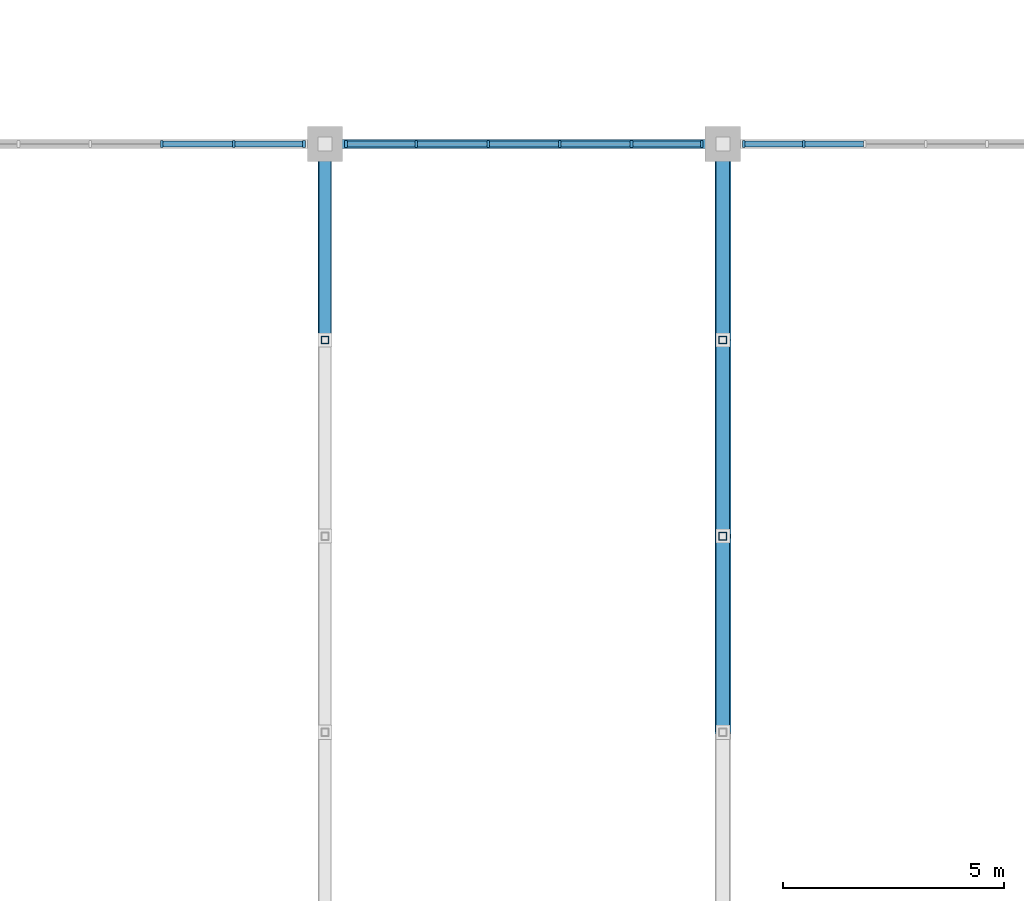
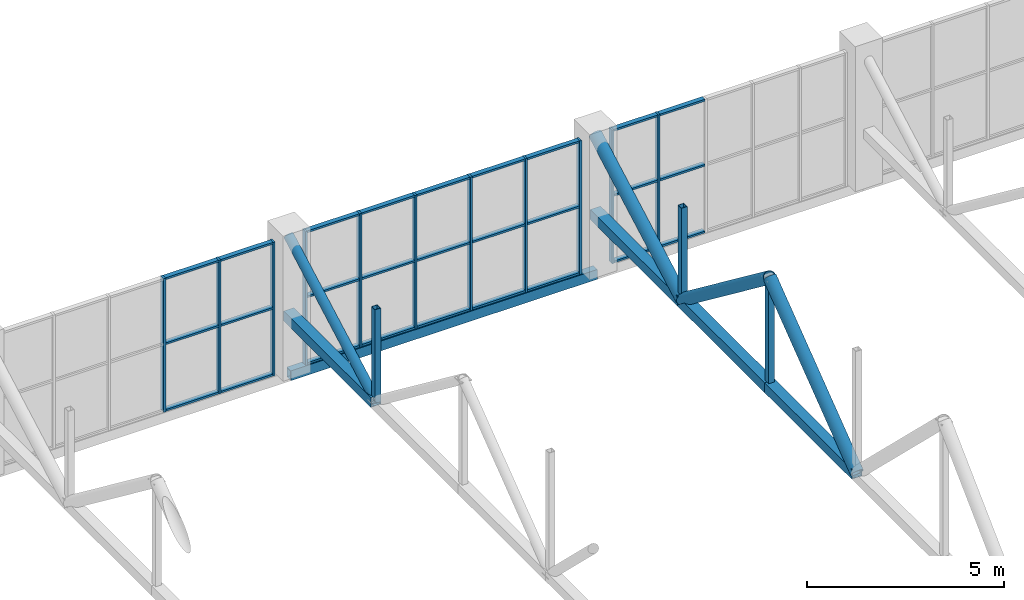
# One storey, part 60 of 103: 49 members, 1 beam, 3 elements without a shape of their own.
"""IFC4 building model written with IfcOpenShell, lengths in metres."""

from ifc_helpers import new_model, si_unit, direction, frame, origin, origin_2d, place, context, subcontext, project, spatial, rectangle, hollow_rectangle, hollow_circle, extrude, material, layer, layer_set, material_profile, profile_set, type_object, element, aggregate, save


model = new_model("IFC4")

# Units and contexts
model_context = context("Model", 3, precision=1e-05, world=origin(), true_north=direction((0.0, 1.0)))
body_context = subcontext(model_context, "Body", "Model", "MODEL_VIEW")
ifc_project = project(units=[si_unit("LENGTHUNIT", "METRE"), si_unit("AREAUNIT", "SQUARE_METRE"), si_unit("VOLUMEUNIT", "CUBIC_METRE"), si_unit("PLANEANGLEUNIT", "RADIAN"), si_unit("MASSUNIT", "GRAM", prefix="KILO")], contexts=[model_context])

# Site, building, storey
site_placement = place(None, origin())
site = spatial("IfcSite", under=ifc_project, at=site_placement, CompositionType="ELEMENT")
building_placement = place(site_placement, origin())
building = spatial("IfcBuilding", under=site, at=building_placement, Name="Cazmaro Siding Exhibition Halls", CompositionType="ELEMENT")
storey_placement = place(building_placement, frame((0.0, 0.0, 16.5)))
storey = spatial("IfcBuildingStorey", under=building, at=storey_placement, Name="L03", CompositionType="ELEMENT", Elevation=16.5)

# Curtain wall, members
ifc_material_1 = material(Name="Anodized Bronze Aluminum and Solar-Control Low-E Glazing", Category="aluminium")
ifc_layer = layer(ifc_material_1, 0.159912109375)
ifc_layer_set = layer_set([ifc_layer], Name="Anodized Bronze Aluminum and Solar-Control Low-E Glazing")
curtain_wall_type = type_object("IfcCurtainWallType", Name="CWS-04", PredefinedType="USERDEFINED", material=ifc_layer_set)
curtain_wall_1_placement = place(storey_placement, origin())
curtain_wall_1 = element("IfcCurtainWall", 1, at=curtain_wall_1_placement, inside=storey, type_object=curtain_wall_type, Name="Clerestory Curtain Wall CWS-04 CW-103", ObjectType="CLERESTORY CURTAIN WALL", PredefinedType="USERDEFINED")
ifc_material_2 = material(Name="Anodized Bronze Extruded Aluminum", Category="aluminium")
ifc_material_profile_1 = material_profile(ifc_material_2, rectangle(XDim=0.159912109375, YDim=0.06005859375, at=origin_2d()), Name="CWM-04")
ifc_profile_set_1 = profile_set([ifc_material_profile_1], Name="Anodized Bronze Extruded Aluminum")
member_type_1 = type_object("IfcMemberType", Name="CWM-04", PredefinedType="MULLION", material=ifc_profile_set_1)
member_1_placement = place(storey_placement, frame((179.52490234375, 53.60009765625, 0.0), z_axis=(0.0, 0.0, 1.0), x_axis=(0.0, -1.0, 0.0)))
member_1 = element("IfcMember", 2, at=member_1_placement, type_object=member_type_1, Name="CWS-04 mullion 1", PredefinedType="MULLION", context=body_context, shape_type="SweptSolid", body=[
    extrude(rectangle(XDim=0.159912109375, YDim=0.06005859375, at=origin_2d()), origin(), (0.0, 0.0, 1.0), 4.14990234375),
])
member_2_placement = place(storey_placement, frame((177.93310546875, 53.60009765625, 0.0), z_axis=(0.0, 0.0, 1.0), x_axis=(0.0, -1.0, 0.0)))
member_2 = element("IfcMember", 3, at=member_2_placement, type_object=member_type_1, Name="CWS-04 mullion 2", PredefinedType="MULLION", context=body_context, shape_type="SweptSolid", body=[
    extrude(rectangle(XDim=0.159912109375, YDim=0.06005859375, at=origin_2d()), origin(), (0.0, 0.0, 1.0), 4.14990234375),
])
member_3_placement = place(storey_placement, frame((176.31103515625, 53.60009765625, 0.0), z_axis=(0.0, 0.0, 1.0), x_axis=(0.0, -1.0, 0.0)))
member_3 = element("IfcMember", 4, at=member_3_placement, type_object=member_type_1, Name="CWS-04 mullion 3", PredefinedType="MULLION", context=body_context, shape_type="SweptSolid", body=[
    extrude(rectangle(XDim=0.159912109375, YDim=0.06005859375, at=origin_2d()), origin(), (0.0, 0.0, 1.0), 4.14990234375),
])

curtain_wall_2_placement = place(storey_placement, origin())
curtain_wall_2 = element("IfcCurtainWall", 5, at=curtain_wall_2_placement, inside=storey, type_object=curtain_wall_type, Name="Clerestory Curtain Wall CWS-04 CW-105", ObjectType="CLERESTORY CURTAIN WALL", PredefinedType="USERDEFINED")
member_4_placement = place(storey_placement, frame((188.52490234375, 53.60009765625, 0.0), z_axis=(0.0, 0.0, 1.0), x_axis=(0.0, -1.0, 0.0)))
member_4 = element("IfcMember", 6, at=member_4_placement, type_object=member_type_1, Name="CWS-04 mullion 1", PredefinedType="MULLION", context=body_context, shape_type="SweptSolid", body=[
    extrude(rectangle(XDim=0.159912109375, YDim=0.06005859375, at=origin_2d()), origin(), (0.0, 0.0, 1.0), 4.14990234375),
])
member_5_placement = place(storey_placement, frame((186.93310546875, 53.60009765625, 0.0), z_axis=(0.0, 0.0, 1.0), x_axis=(0.0, -1.0, 0.0)))
member_5 = element("IfcMember", 7, at=member_5_placement, type_object=member_type_1, Name="CWS-04 mullion 2", PredefinedType="MULLION", context=body_context, shape_type="SweptSolid", body=[
    extrude(rectangle(XDim=0.159912109375, YDim=0.06005859375, at=origin_2d()), origin(), (0.0, 0.0, 1.0), 4.14990234375),
])
member_6_placement = place(storey_placement, frame((185.31103515625, 53.60009765625, 0.0), z_axis=(0.0, 0.0, 1.0), x_axis=(0.0, -1.0, 0.0)))
member_6 = element("IfcMember", 8, at=member_6_placement, type_object=member_type_1, Name="CWS-04 mullion 3", PredefinedType="MULLION", context=body_context, shape_type="SweptSolid", body=[
    extrude(rectangle(XDim=0.159912109375, YDim=0.06005859375, at=origin_2d()), origin(), (0.0, 0.0, 1.0), 4.14990234375),
])
member_7_placement = place(storey_placement, frame((183.68896484375, 53.60009765625, 0.0), z_axis=(0.0, 0.0, 1.0), x_axis=(0.0, -1.0, 0.0)))
member_7 = element("IfcMember", 9, at=member_7_placement, type_object=member_type_1, Name="CWS-04 mullion 4", PredefinedType="MULLION", context=body_context, shape_type="SweptSolid", body=[
    extrude(rectangle(XDim=0.159912109375, YDim=0.06005859375, at=origin_2d()), origin(), (0.0, 0.0, 1.0), 4.14990234375),
])
member_8_placement = place(storey_placement, frame((182.06689453125, 53.60009765625, 0.0), z_axis=(0.0, 0.0, 1.0), x_axis=(0.0, -1.0, 0.0)))
member_8 = element("IfcMember", 10, at=member_8_placement, type_object=member_type_1, Name="CWS-04 mullion 5", PredefinedType="MULLION", context=body_context, shape_type="SweptSolid", body=[
    extrude(rectangle(XDim=0.159912109375, YDim=0.06005859375, at=origin_2d()), origin(), (0.0, 0.0, 1.0), 4.14990234375),
])
member_9_placement = place(storey_placement, frame((180.47509765625, 53.60009765625, 0.0), z_axis=(0.0, 0.0, 1.0), x_axis=(0.0, -1.0, 0.0)))
member_9 = element("IfcMember", 11, at=member_9_placement, type_object=member_type_1, Name="CWS-04 mullion 6", PredefinedType="MULLION", context=body_context, shape_type="SweptSolid", body=[
    extrude(rectangle(XDim=0.159912109375, YDim=0.06005859375, at=origin_2d()), origin(), (0.0, 0.0, 1.0), 4.14990234375),
])

curtain_wall_3_placement = place(storey_placement, origin())
curtain_wall_3 = element("IfcCurtainWall", 12, at=curtain_wall_3_placement, inside=storey, type_object=curtain_wall_type, Name="Clerestory Curtain Wall CWS-04 CW-107", ObjectType="CLERESTORY CURTAIN WALL", PredefinedType="USERDEFINED")
member_10_placement = place(storey_placement, frame((190.826904296875, 53.60009765625, 0.0), z_axis=(0.0, 0.0, 1.0), x_axis=(0.0, -1.0, 0.0)))
member_10 = element("IfcMember", 13, at=member_10_placement, type_object=member_type_1, Name="CWS-04 mullion 5", PredefinedType="MULLION", context=body_context, shape_type="SweptSolid", body=[
    extrude(rectangle(XDim=0.159912109375, YDim=0.06005859375, at=origin_2d()), origin(), (0.0, 0.0, 1.0), 4.14990234375),
])
member_11_placement = place(storey_placement, frame((189.47509765625, 53.60009765625, 0.0), z_axis=(0.0, 0.0, 1.0), x_axis=(0.0, -1.0, 0.0)))
member_11 = element("IfcMember", 14, at=member_11_placement, type_object=member_type_1, Name="CWS-04 mullion 6", PredefinedType="MULLION", context=body_context, shape_type="SweptSolid", body=[
    extrude(rectangle(XDim=0.159912109375, YDim=0.06005859375, at=origin_2d()), origin(), (0.0, 0.0, 1.0), 4.14990234375),
])

# Member
ifc_material_3 = material(Name="Anodized Bronze Extruded Aluminum", Category="aluminium")
ifc_material_profile_2 = material_profile(ifc_material_3, rectangle(XDim=0.139892578125, YDim=0.06005859375, at=origin_2d()), Name="CWT-04")
ifc_profile_set_2 = profile_set([ifc_material_profile_2], Name="Anodized Bronze Extruded Aluminum")
member_type_2 = type_object("IfcMemberType", Name="CWT-04", PredefinedType="MULLION", material=ifc_profile_set_2)
member_12_placement = place(storey_placement, frame((179.4951171875, 53.60009765625, 0.030029296875), z_axis=(-1.0, 0.0, 0.0), x_axis=(0.0, -1.0, 0.0)))
member_12 = element("IfcMember", 15, at=member_12_placement, type_object=member_type_2, Name="CWS-04 transom 1.1", ObjectType="TRANSOM", PredefinedType="USERDEFINED", context=body_context, shape_type="SweptSolid", body=[
    extrude(rectangle(XDim=0.139892578125, YDim=0.06005859375, at=origin_2d()), origin(), (0.0, 0.0, 1.0), 1.5322265625),
])

member_13_placement = place(storey_placement, frame((179.4951171875, 53.60009765625, 2.10009765625), z_axis=(-1.0, 0.0, 0.0), x_axis=(0.0, -1.0, 0.0)))
member_13 = element("IfcMember", 16, at=member_13_placement, type_object=member_type_2, Name="CWS-04 transom 1.2", ObjectType="TRANSOM", PredefinedType="USERDEFINED", context=body_context, shape_type="SweptSolid", body=[
    extrude(rectangle(XDim=0.139892578125, YDim=0.06005859375, at=origin_2d()), origin(), (0.0, 0.0, 1.0), 1.5322265625),
])

member_14_placement = place(storey_placement, frame((179.4951171875, 53.60009765625, 4.1201171875), z_axis=(-1.0, 0.0, 0.0), x_axis=(0.0, -1.0, 0.0)))
member_14 = element("IfcMember", 17, at=member_14_placement, type_object=member_type_2, Name="CWS-04 transom 1.3", ObjectType="TRANSOM", PredefinedType="USERDEFINED", context=body_context, shape_type="SweptSolid", body=[
    extrude(rectangle(XDim=0.139892578125, YDim=0.06005859375, at=origin_2d()), origin(), (0.0, 0.0, 1.0), 1.5322265625),
])

member_15_placement = place(storey_placement, frame((177.903076171875, 53.60009765625, 0.030029296875), z_axis=(-1.0, 0.0, 0.0), x_axis=(0.0, -1.0, 0.0)))
member_15 = element("IfcMember", 18, at=member_15_placement, type_object=member_type_2, Name="CWS-04 transom 2.1", ObjectType="TRANSOM", PredefinedType="USERDEFINED", context=body_context, shape_type="SweptSolid", body=[
    extrude(rectangle(XDim=0.139892578125, YDim=0.06005859375, at=origin_2d()), origin(), (0.0, 0.0, 1.0), 1.56201171875),
])

member_16_placement = place(storey_placement, frame((177.903076171875, 53.60009765625, 2.10009765625), z_axis=(-1.0, 0.0, 0.0), x_axis=(0.0, -1.0, 0.0)))
member_16 = element("IfcMember", 19, at=member_16_placement, type_object=member_type_2, Name="CWS-04 transom 2.2", ObjectType="TRANSOM", PredefinedType="USERDEFINED", context=body_context, shape_type="SweptSolid", body=[
    extrude(rectangle(XDim=0.139892578125, YDim=0.06005859375, at=origin_2d()), origin(), (0.0, 0.0, 1.0), 1.56201171875),
])

member_17_placement = place(storey_placement, frame((177.903076171875, 53.60009765625, 4.1201171875), z_axis=(-1.0, 0.0, 0.0), x_axis=(0.0, -1.0, 0.0)))
member_17 = element("IfcMember", 20, at=member_17_placement, type_object=member_type_2, Name="CWS-04 transom 2.3", ObjectType="TRANSOM", PredefinedType="USERDEFINED", context=body_context, shape_type="SweptSolid", body=[
    extrude(rectangle(XDim=0.139892578125, YDim=0.06005859375, at=origin_2d()), origin(), (0.0, 0.0, 1.0), 1.56201171875),
])

aggregate(curtain_wall_1, [member_1, member_2, member_3, member_12, member_13, member_14, member_15, member_16, member_17])

member_18_placement = place(storey_placement, frame((188.4951171875, 53.60009765625, 0.030029296875), z_axis=(-1.0, 0.0, 0.0), x_axis=(0.0, -1.0, 0.0)))
member_18 = element("IfcMember", 21, at=member_18_placement, type_object=member_type_2, Name="CWS-04 transom 1.1", ObjectType="TRANSOM", PredefinedType="USERDEFINED", context=body_context, shape_type="SweptSolid", body=[
    extrude(rectangle(XDim=0.139892578125, YDim=0.06005859375, at=origin_2d()), origin(), (0.0, 0.0, 1.0), 1.5322265625),
])

member_19_placement = place(storey_placement, frame((188.4951171875, 53.60009765625, 2.10009765625), z_axis=(-1.0, 0.0, 0.0), x_axis=(0.0, -1.0, 0.0)))
member_19 = element("IfcMember", 22, at=member_19_placement, type_object=member_type_2, Name="CWS-04 transom 1.2", ObjectType="TRANSOM", PredefinedType="USERDEFINED", context=body_context, shape_type="SweptSolid", body=[
    extrude(rectangle(XDim=0.139892578125, YDim=0.06005859375, at=origin_2d()), origin(), (0.0, 0.0, 1.0), 1.5322265625),
])

member_20_placement = place(storey_placement, frame((188.4951171875, 53.60009765625, 4.1201171875), z_axis=(-1.0, 0.0, 0.0), x_axis=(0.0, -1.0, 0.0)))
member_20 = element("IfcMember", 23, at=member_20_placement, type_object=member_type_2, Name="CWS-04 transom 1.3", ObjectType="TRANSOM", PredefinedType="USERDEFINED", context=body_context, shape_type="SweptSolid", body=[
    extrude(rectangle(XDim=0.139892578125, YDim=0.06005859375, at=origin_2d()), origin(), (0.0, 0.0, 1.0), 1.5322265625),
])

member_21_placement = place(storey_placement, frame((186.903076171875, 53.60009765625, 0.030029296875), z_axis=(-1.0, 0.0, 0.0), x_axis=(0.0, -1.0, 0.0)))
member_21 = element("IfcMember", 24, at=member_21_placement, type_object=member_type_2, Name="CWS-04 transom 2.1", ObjectType="TRANSOM", PredefinedType="USERDEFINED", context=body_context, shape_type="SweptSolid", body=[
    extrude(rectangle(XDim=0.139892578125, YDim=0.06005859375, at=origin_2d()), origin(), (0.0, 0.0, 1.0), 1.56201171875),
])

member_22_placement = place(storey_placement, frame((186.903076171875, 53.60009765625, 2.10009765625), z_axis=(-1.0, 0.0, 0.0), x_axis=(0.0, -1.0, 0.0)))
member_22 = element("IfcMember", 25, at=member_22_placement, type_object=member_type_2, Name="CWS-04 transom 2.2", ObjectType="TRANSOM", PredefinedType="USERDEFINED", context=body_context, shape_type="SweptSolid", body=[
    extrude(rectangle(XDim=0.139892578125, YDim=0.06005859375, at=origin_2d()), origin(), (0.0, 0.0, 1.0), 1.56201171875),
])

member_23_placement = place(storey_placement, frame((186.903076171875, 53.60009765625, 4.1201171875), z_axis=(-1.0, 0.0, 0.0), x_axis=(0.0, -1.0, 0.0)))
member_23 = element("IfcMember", 26, at=member_23_placement, type_object=member_type_2, Name="CWS-04 transom 2.3", ObjectType="TRANSOM", PredefinedType="USERDEFINED", context=body_context, shape_type="SweptSolid", body=[
    extrude(rectangle(XDim=0.139892578125, YDim=0.06005859375, at=origin_2d()), origin(), (0.0, 0.0, 1.0), 1.56201171875),
])

member_24_placement = place(storey_placement, frame((185.281005859375, 53.60009765625, 0.030029296875), z_axis=(-1.0, 0.0, 0.0), x_axis=(0.0, -1.0, 0.0)))
member_24 = element("IfcMember", 27, at=member_24_placement, type_object=member_type_2, Name="CWS-04 transom 3.1", ObjectType="TRANSOM", PredefinedType="USERDEFINED", context=body_context, shape_type="SweptSolid", body=[
    extrude(rectangle(XDim=0.139892578125, YDim=0.06005859375, at=origin_2d()), origin(), (0.0, 0.0, 1.0), 1.56201171875),
])

member_25_placement = place(storey_placement, frame((185.281005859375, 53.60009765625, 2.10009765625), z_axis=(-1.0, 0.0, 0.0), x_axis=(0.0, -1.0, 0.0)))
member_25 = element("IfcMember", 28, at=member_25_placement, type_object=member_type_2, Name="CWS-04 transom 3.2", ObjectType="TRANSOM", PredefinedType="USERDEFINED", context=body_context, shape_type="SweptSolid", body=[
    extrude(rectangle(XDim=0.139892578125, YDim=0.06005859375, at=origin_2d()), origin(), (0.0, 0.0, 1.0), 1.56201171875),
])

member_26_placement = place(storey_placement, frame((185.281005859375, 53.60009765625, 4.1201171875), z_axis=(-1.0, 0.0, 0.0), x_axis=(0.0, -1.0, 0.0)))
member_26 = element("IfcMember", 29, at=member_26_placement, type_object=member_type_2, Name="CWS-04 transom 3.3", ObjectType="TRANSOM", PredefinedType="USERDEFINED", context=body_context, shape_type="SweptSolid", body=[
    extrude(rectangle(XDim=0.139892578125, YDim=0.06005859375, at=origin_2d()), origin(), (0.0, 0.0, 1.0), 1.56201171875),
])

member_27_placement = place(storey_placement, frame((183.658935546875, 53.60009765625, 0.030029296875), z_axis=(-1.0, 0.0, 0.0), x_axis=(0.0, -1.0, 0.0)))
member_27 = element("IfcMember", 30, at=member_27_placement, type_object=member_type_2, Name="CWS-04 transom 4.1", ObjectType="TRANSOM", PredefinedType="USERDEFINED", context=body_context, shape_type="SweptSolid", body=[
    extrude(rectangle(XDim=0.139892578125, YDim=0.06005859375, at=origin_2d()), origin(), (0.0, 0.0, 1.0), 1.56201171875),
])

member_28_placement = place(storey_placement, frame((183.658935546875, 53.60009765625, 2.10009765625), z_axis=(-1.0, 0.0, 0.0), x_axis=(0.0, -1.0, 0.0)))
member_28 = element("IfcMember", 31, at=member_28_placement, type_object=member_type_2, Name="CWS-04 transom 4.2", ObjectType="TRANSOM", PredefinedType="USERDEFINED", context=body_context, shape_type="SweptSolid", body=[
    extrude(rectangle(XDim=0.139892578125, YDim=0.06005859375, at=origin_2d()), origin(), (0.0, 0.0, 1.0), 1.56201171875),
])

member_29_placement = place(storey_placement, frame((183.658935546875, 53.60009765625, 4.1201171875), z_axis=(-1.0, 0.0, 0.0), x_axis=(0.0, -1.0, 0.0)))
member_29 = element("IfcMember", 32, at=member_29_placement, type_object=member_type_2, Name="CWS-04 transom 4.3", ObjectType="TRANSOM", PredefinedType="USERDEFINED", context=body_context, shape_type="SweptSolid", body=[
    extrude(rectangle(XDim=0.139892578125, YDim=0.06005859375, at=origin_2d()), origin(), (0.0, 0.0, 1.0), 1.56201171875),
])

member_30_placement = place(storey_placement, frame((182.037109375, 53.60009765625, 0.030029296875), z_axis=(-1.0, 0.0, 0.0), x_axis=(0.0, -1.0, 0.0)))
member_30 = element("IfcMember", 33, at=member_30_placement, type_object=member_type_2, Name="CWS-04 transom 5.1", ObjectType="TRANSOM", PredefinedType="USERDEFINED", context=body_context, shape_type="SweptSolid", body=[
    extrude(rectangle(XDim=0.139892578125, YDim=0.06005859375, at=origin_2d()), origin(), (0.0, 0.0, 1.0), 1.5322265625),
])

member_31_placement = place(storey_placement, frame((182.037109375, 53.60009765625, 2.10009765625), z_axis=(-1.0, 0.0, 0.0), x_axis=(0.0, -1.0, 0.0)))
member_31 = element("IfcMember", 34, at=member_31_placement, type_object=member_type_2, Name="CWS-04 transom 5.2", ObjectType="TRANSOM", PredefinedType="USERDEFINED", context=body_context, shape_type="SweptSolid", body=[
    extrude(rectangle(XDim=0.139892578125, YDim=0.06005859375, at=origin_2d()), origin(), (0.0, 0.0, 1.0), 1.5322265625),
])

member_32_placement = place(storey_placement, frame((182.037109375, 53.60009765625, 4.1201171875), z_axis=(-1.0, 0.0, 0.0), x_axis=(0.0, -1.0, 0.0)))
member_32 = element("IfcMember", 35, at=member_32_placement, type_object=member_type_2, Name="CWS-04 transom 5.3", ObjectType="TRANSOM", PredefinedType="USERDEFINED", context=body_context, shape_type="SweptSolid", body=[
    extrude(rectangle(XDim=0.139892578125, YDim=0.06005859375, at=origin_2d()), origin(), (0.0, 0.0, 1.0), 1.5322265625),
])

aggregate(curtain_wall_2, [member_4, member_5, member_6, member_7, member_8, member_9, member_18, member_19, member_20, member_21, member_22, member_23, member_24, member_25, member_26, member_27, member_28, member_29, member_30, member_31, member_32])

member_33_placement = place(storey_placement, frame((192.178955078125, 53.60009765625, 0.030029296875), z_axis=(-1.0, 0.0, 0.0), x_axis=(0.0, -1.0, 0.0)))
member_33 = element("IfcMember", 36, at=member_33_placement, type_object=member_type_2, Name="CWS-04 transom 4.1", ObjectType="TRANSOM", PredefinedType="USERDEFINED", context=body_context, shape_type="SweptSolid", body=[
    extrude(rectangle(XDim=0.139892578125, YDim=0.06005859375, at=origin_2d()), origin(), (0.0, 0.0, 1.0), 1.322021484375),
])

member_34_placement = place(storey_placement, frame((192.178955078125, 53.60009765625, 2.10009765625), z_axis=(-1.0, 0.0, 0.0), x_axis=(0.0, -1.0, 0.0)))
member_34 = element("IfcMember", 37, at=member_34_placement, type_object=member_type_2, Name="CWS-04 transom 4.2", ObjectType="TRANSOM", PredefinedType="USERDEFINED", context=body_context, shape_type="SweptSolid", body=[
    extrude(rectangle(XDim=0.139892578125, YDim=0.06005859375, at=origin_2d()), origin(), (0.0, 0.0, 1.0), 1.322021484375),
])

member_35_placement = place(storey_placement, frame((192.178955078125, 53.60009765625, 4.1201171875), z_axis=(-1.0, 0.0, 0.0), x_axis=(0.0, -1.0, 0.0)))
member_35 = element("IfcMember", 38, at=member_35_placement, type_object=member_type_2, Name="CWS-04 transom 4.3", ObjectType="TRANSOM", PredefinedType="USERDEFINED", context=body_context, shape_type="SweptSolid", body=[
    extrude(rectangle(XDim=0.139892578125, YDim=0.06005859375, at=origin_2d()), origin(), (0.0, 0.0, 1.0), 1.322021484375),
])

member_36_placement = place(storey_placement, frame((190.797119140625, 53.60009765625, 0.030029296875), z_axis=(-1.0, 0.0, 0.0), x_axis=(0.0, -1.0, 0.0)))
member_36 = element("IfcMember", 39, at=member_36_placement, type_object=member_type_2, Name="CWS-04 transom 5.1", ObjectType="TRANSOM", PredefinedType="USERDEFINED", context=body_context, shape_type="SweptSolid", body=[
    extrude(rectangle(XDim=0.139892578125, YDim=0.06005859375, at=origin_2d()), origin(), (0.0, 0.0, 1.0), 1.292236328125),
])

member_37_placement = place(storey_placement, frame((190.797119140625, 53.60009765625, 2.10009765625), z_axis=(-1.0, 0.0, 0.0), x_axis=(0.0, -1.0, 0.0)))
member_37 = element("IfcMember", 40, at=member_37_placement, type_object=member_type_2, Name="CWS-04 transom 5.2", ObjectType="TRANSOM", PredefinedType="USERDEFINED", context=body_context, shape_type="SweptSolid", body=[
    extrude(rectangle(XDim=0.139892578125, YDim=0.06005859375, at=origin_2d()), origin(), (0.0, 0.0, 1.0), 1.292236328125),
])

member_38_placement = place(storey_placement, frame((190.797119140625, 53.60009765625, 4.1201171875), z_axis=(-1.0, 0.0, 0.0), x_axis=(0.0, -1.0, 0.0)))
member_38 = element("IfcMember", 41, at=member_38_placement, type_object=member_type_2, Name="CWS-04 transom 5.3", ObjectType="TRANSOM", PredefinedType="USERDEFINED", context=body_context, shape_type="SweptSolid", body=[
    extrude(rectangle(XDim=0.139892578125, YDim=0.06005859375, at=origin_2d()), origin(), (0.0, 0.0, 1.0), 1.292236328125),
])

aggregate(curtain_wall_3, [member_10, member_11, member_33, member_34, member_35, member_36, member_37, member_38])

# Beam
ifc_material_4 = material(Name="Steel ASTM A500 Grade C", Category="steel")
ifc_material_profile_3 = material_profile(ifc_material_4, hollow_rectangle(XDim=0.202880859375, YDim=0.304931640625, WallThickness=0.011962890625, at=origin_2d()), Name="HSS12X8X1/2")
ifc_profile_set_3 = profile_set([ifc_material_profile_3], Name="Steel ASTM A500 Grade C")
beam_type = type_object("IfcBeamType", Name="SP-01", PredefinedType="SPANDREL", material=ifc_profile_set_3)
beam_placement = place(storey_placement, frame((180.0, 53.60009765625, -0.152099609375), z_axis=(1.0, 0.0, 0.0), x_axis=(0.0, 1.0, 0.0)))
element("IfcBeam", 42, at=beam_placement, inside=storey, type_object=beam_type, Name="Beam SP-01 BM-1533", PredefinedType="SPANDREL", context=body_context, shape_type="SweptSolid", body=[
    extrude(hollow_rectangle(XDim=0.202880859375, YDim=0.304931640625, WallThickness=0.011962890625, at=origin_2d()), origin(), (0.0, 0.0, 1.0), 9.0),
])

# Members
ifc_material_5 = material(Name="Steel ASTM A500 Grade C", Category="steel")
ifc_material_profile_4 = material_profile(ifc_material_5, hollow_rectangle(XDim=0.304931640625, YDim=0.304931640625, WallThickness=0.014892578125, at=origin_2d()), Name="HSS12X12X5/8")
ifc_profile_set_4 = profile_set([ifc_material_profile_4], Name="Steel ASTM A500 Grade C")
member_type_3 = type_object("IfcMemberType", Name="TC-02", PredefinedType="CHORD", material=ifc_profile_set_4)
for number, where, z_axis, x_axis, name in (
    (43, (180.0, 49.1650390625, 1.699951171875), (0.0, 1.0, 0.0), (-1.0, 0.0, 0.0), "Warren roof truss bottom chord TC-02 MEM-2798"),
    (44, (189.0, 40.294921875, 1.699951171875), (0.0, 1.0, 0.0), (-1.0, 0.0, 0.0), "Warren roof truss bottom chord TC-02 MEM-2831"),
    (45, (189.0, 44.72998046875, 1.699951171875), (0.0, 1.0, 0.0), (-1.0, 0.0, 0.0), "Warren roof truss bottom chord TC-02 MEM-2834"),
    (46, (189.0, 49.1650390625, 1.699951171875), (0.0, 1.0, 0.0), (-1.0, 0.0, 0.0), "Warren roof truss bottom chord TC-02 MEM-2837"),
):
    element("IfcMember", number, at=place(storey_placement, frame(where, z_axis=z_axis, x_axis=x_axis)), inside=storey, type_object=member_type_3, Name=name, PredefinedType="CHORD", context=body_context, shape_type="SweptSolid", body=[
        extrude(hollow_rectangle(XDim=0.304931640625, YDim=0.304931640625, WallThickness=0.014892578125, at=origin_2d()), origin(), (0.0, 0.0, 1.0), 4.43505859375),
    ])
ifc_material_6 = material(Name="Steel ASTM A500 Grade C", Category="steel")
ifc_material_profile_5 = material_profile(ifc_material_6, hollow_rectangle(XDim=0.177978515625, YDim=0.177978515625, WallThickness=0.011962890625, at=origin_2d()), Name="HSS7X7X1/2")
ifc_profile_set_5 = profile_set([ifc_material_profile_5], Name="Steel ASTM A500 Grade C")
member_type_4 = type_object("IfcMemberType", Name="TP-02", PredefinedType="POST", material=ifc_profile_set_5)
member_39_placement = place(storey_placement, frame((180.0, 49.1650390625, 1.699951171875), z_axis=(0.0, 0.0, 1.0), x_axis=(1.0, 0.0, 0.0)))
element("IfcMember", 47, at=member_39_placement, inside=storey, type_object=member_type_4, Name="Warren roof truss vertical TP-02 MEM-2808", PredefinedType="POST", context=body_context, shape_type="SweptSolid", body=[
    extrude(hollow_rectangle(XDim=0.177978515625, YDim=0.177978515625, WallThickness=0.011962890625, at=origin_2d()), origin(), (0.0, 0.0, 1.0), 2.906005859375),
])
member_40_placement = place(storey_placement, frame((189.0, 44.72998046875, 1.699951171875), z_axis=(0.0, 0.0, 1.0), x_axis=(1.0, 0.0, 0.0)))
element("IfcMember", 48, at=member_40_placement, inside=storey, type_object=member_type_4, Name="Warren roof truss vertical TP-02 MEM-2846", PredefinedType="POST", context=body_context, shape_type="SweptSolid", body=[
    extrude(hollow_rectangle(XDim=0.177978515625, YDim=0.177978515625, WallThickness=0.011962890625, at=origin_2d()), origin(), (0.0, 0.0, 1.0), 3.373046875),
])
member_41_placement = place(storey_placement, frame((189.0, 49.1650390625, 1.699951171875), z_axis=(0.0, 0.0, 1.0), x_axis=(1.0, 0.0, 0.0)))
element("IfcMember", 49, at=member_41_placement, inside=storey, type_object=member_type_4, Name="Warren roof truss vertical TP-02 MEM-2847", PredefinedType="POST", context=body_context, shape_type="SweptSolid", body=[
    extrude(hollow_rectangle(XDim=0.177978515625, YDim=0.177978515625, WallThickness=0.011962890625, at=origin_2d()), origin(), (0.0, 0.0, 1.0), 2.906005859375),
])
ifc_material_7 = material(Name="Steel ASTM A500 Grade C", Category="steel")
ifc_material_profile_6 = material_profile(ifc_material_7, hollow_circle(Radius=0.136474609375, WallThickness=0.012939453125, at=origin_2d()), Name="PIPE10XS")
ifc_profile_set_6 = profile_set([ifc_material_profile_6], Name="Steel ASTM A500 Grade C")
member_type_5 = type_object("IfcMemberType", Name="WB-02", PredefinedType="BRACE", material=ifc_profile_set_6)
member_42_placement = place(storey_placement, frame((180.0, 49.1650390625, 1.699951171875), z_axis=(0.0, 0.876160914294, 0.482018726051), x_axis=(-1.0, 0.0, 0.0)))
element("IfcMember", 50, at=member_42_placement, inside=storey, type_object=member_type_5, Name="Warren roof truss diagonal WB-02 MEM-2799", PredefinedType="BRACE", context=body_context, shape_type="SweptSolid", body=[
    extrude(hollow_circle(Radius=0.136474609375, WallThickness=0.012939453125, at=origin_2d()), origin(), (0.0, 0.0, 1.0), 5.06201171875),
])
ifc_material_8 = material(Name="Steel ASTM A500 Grade C", Category="steel")
ifc_material_profile_7 = material_profile(ifc_material_8, hollow_circle(Radius=0.177978515625, WallThickness=0.012939453125, at=origin_2d()), Name="PIPE14XS")
ifc_profile_set_7 = profile_set([ifc_material_profile_7], Name="Steel ASTM A500 Grade C")
member_type_6 = type_object("IfcMemberType", Name="WB-06", PredefinedType="BRACE", material=ifc_profile_set_7)
for number, where, z_axis, x_axis, name in (
    (51, (189.0, 40.294921875, 1.699951171875), (0.0, 0.795954445209, 0.605356524002), (-1.0, 0.0, 0.0), "Warren roof truss diagonal WB-06 MEM-2832"),
    (52, (189.0, 44.72998046875, 5.072998046875), (0.0, 0.795954445209, -0.605356524002), (-1.0, 0.0, 0.0), "Warren roof truss diagonal WB-06 MEM-2835"),
):
    element("IfcMember", number, at=place(storey_placement, frame(where, z_axis=z_axis, x_axis=x_axis)), inside=storey, type_object=member_type_6, Name=name, PredefinedType="BRACE", context=body_context, shape_type="SweptSolid", body=[
        extrude(hollow_circle(Radius=0.177978515625, WallThickness=0.012939453125, at=origin_2d()), origin(), (0.0, 0.0, 1.0), 5.572021484375),
    ])
member_43_placement = place(storey_placement, frame((189.0, 49.1650390625, 1.699951171875), z_axis=(0.0, 0.876160914294, 0.482018726051), x_axis=(-1.0, 0.0, 0.0)))
element("IfcMember", 53, at=member_43_placement, inside=storey, type_object=member_type_6, Name="Warren roof truss diagonal WB-06 MEM-2838", PredefinedType="BRACE", context=body_context, shape_type="SweptSolid", body=[
    extrude(hollow_circle(Radius=0.177978515625, WallThickness=0.012939453125, at=origin_2d()), origin(), (0.0, 0.0, 1.0), 5.06201171875),
])

save(model, "model.ifc")
